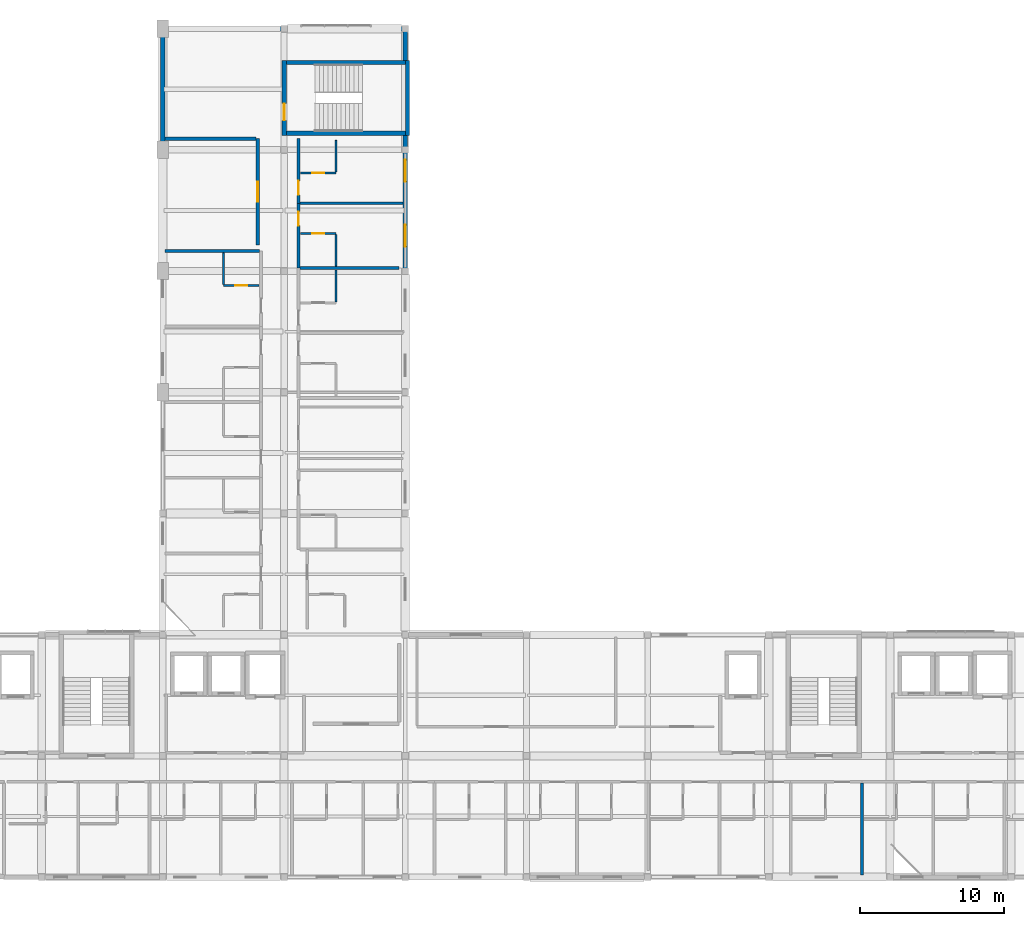
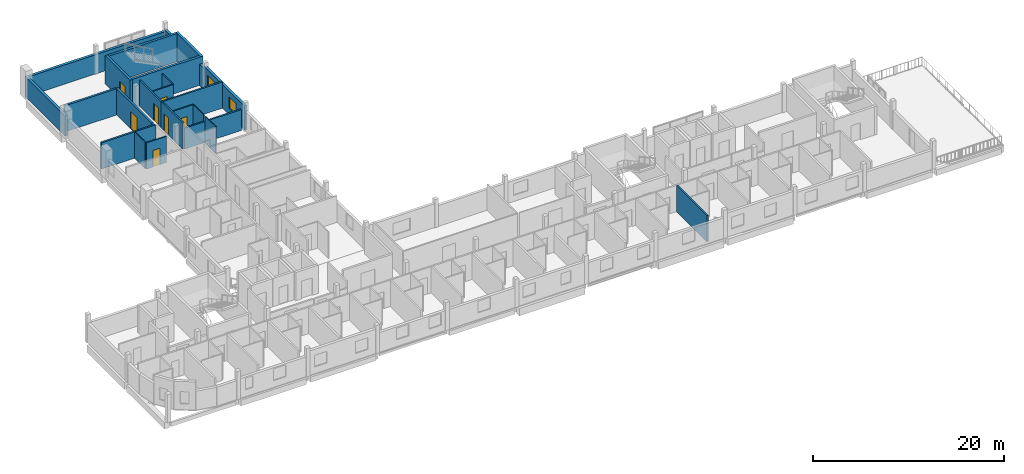
# One storey, part 14 of 19: 24 walls, 7 doors, 2 windows, 9 openings.
"""IFC4 building model written with IfcOpenShell, lengths in metres."""

from ifc_helpers import new_model, si_unit, derived_unit, direction, frame, frame_2d, origin, place, context, subcontext, project, spatial, rectangle, extrude, material, layer, layer_set, type_object, element, fill, save


model = new_model("IFC4")

# Units and contexts
model_context = context("Model", 3, precision=1e-05, world=origin(), true_north=direction((0.0, 1.0)))
body_context = subcontext(model_context, "Body", "Model", "MODEL_VIEW")
ifc_project = project(units=[si_unit("LENGTHUNIT", "METRE"), si_unit("AREAUNIT", "SQUARE_METRE"), si_unit("VOLUMEUNIT", "CUBIC_METRE"), si_unit("PLANEANGLEUNIT", "RADIAN"), si_unit("MASSUNIT", "GRAM", prefix="KILO"), derived_unit("THERMALTRANSMITTANCEUNIT", [(si_unit("POWERUNIT", "WATT"), 1), (si_unit("LENGTHUNIT", "METRE"), -2), (si_unit("THERMODYNAMICTEMPERATUREUNIT", "KELVIN"), -1)])], contexts=[model_context])

# Site, building, storey
site_placement = place(None, origin())
site = spatial("IfcSite", under=ifc_project, at=site_placement, CompositionType="ELEMENT")
building_placement = place(site_placement, origin())
building = spatial("IfcBuilding", under=site, at=building_placement, Name="Barrovel Congress Hotel", CompositionType="ELEMENT")
storey_placement = place(building_placement, frame((0.0, 0.0, 43.5)))
storey = spatial("IfcBuildingStorey", under=building, at=storey_placement, Name="L11", CompositionType="ELEMENT", Elevation=43.5)

# Walls
ifc_material_1 = material(Name="Fired Clay Brick Masonry", Category="masonry")
ifc_layer_1 = layer(ifc_material_1, 0.320068359375)
ifc_layer_set_1 = layer_set([ifc_layer_1], Name="Fired Clay Brick Masonry")
wall_type_1 = type_object("IfcWallType", Name="EW-BRK320", PredefinedType="STANDARD", material=ifc_layer_set_1)
wall_1_placement = place(storey_placement, frame((50.39990234375, 60.800048828125, 0.0), z_axis=(0.0, 0.0, 1.0), x_axis=(0.0, 1.0, 0.0)))
element("IfcWall", 1, at=wall_1_placement, inside=storey, type_object=wall_type_1, Name="EW:L11:HW-E-2", PredefinedType="STANDARD", context=body_context, shape_type="SweptSolid", body=[
    extrude(rectangle(XDim=2.199951171875, YDim=0.320068359375, at=frame_2d((1.10009765625, 0.0))), origin(), (0.0, 0.0, 1.0), 2.7099609375),
])
wall_2_placement = place(storey_placement, frame((50.39990234375, 63.0, 0.0), z_axis=(0.0, 0.0, 1.0), x_axis=(-1.0, 0.0, 0.0)))
element("IfcWall", 2, at=wall_2_placement, inside=storey, type_object=wall_type_1, Name="EW:L11:HW-N", PredefinedType="STANDARD", context=body_context, shape_type="SweptSolid", body=[
    extrude(rectangle(XDim=16.7998046875, YDim=0.320068359375, at=frame_2d((8.39990234375, 0.0))), origin(), (0.0, 0.0, 1.0), 2.4599609375),
])

# Wall, openings, windows
wall_3_placement = place(storey_placement, frame((50.39990234375, 46.199951171875, 0.0), z_axis=(0.0, 0.0, 1.0), x_axis=(0.0, 1.0, 0.0)))
wall_3 = element("IfcWall", 3, at=wall_3_placement, inside=storey, type_object=wall_type_1, Name="EW:L11:HW-E-1:P02", PredefinedType="STANDARD", context=body_context, shape_type="SweptSolid", body=[
    extrude(rectangle(XDim=8.400146484375, YDim=0.320068359375, at=frame_2d((4.2001953125, 0.0))), origin(), (0.0, 0.0, 1.0), 3.050048828125),
])
opening_1_placement = place(wall_3_placement, frame((1.699951171875, 0.0, 0.85009765625)))
opening_1 = element("IfcOpeningElement", 4, at=opening_1_placement, cuts=wall_3, Name="Opening WN-07", PredefinedType="OPENING", context=body_context, shape_type="SweptSolid", body=[
    extrude(rectangle(XDim=1.5, YDim=1.5, at=frame_2d((0.75, 0.75))), frame((0.0, 0.169921875, 0.0), z_axis=(0.0, -1.0, 0.0), x_axis=(1.0, 0.0, 0.0)), (0.0, 0.0, 1.0), 0.340087890625),
])
opening_2_placement = place(wall_3_placement, frame((6.199951171875, 0.0, 0.85009765625)))
opening_2 = element("IfcOpeningElement", 5, at=opening_2_placement, cuts=wall_3, Name="Opening WN-07", PredefinedType="OPENING", context=body_context, shape_type="SweptSolid", body=[
    extrude(rectangle(XDim=1.5, YDim=1.5, at=frame_2d((0.75, 0.75))), frame((0.0, 0.169921875, 0.0), z_axis=(0.0, -1.0, 0.0), x_axis=(1.0, 0.0, 0.0)), (0.0, 0.0, 1.0), 0.340087890625),
])
ifc_material_2 = material(Name="Double Low-E Insulated Glazing", Category="glass")
window_type = type_object("IfcWindowType", Name="WIN-WN-07", PartitioningType="SINGLE_PANEL", PredefinedType="WINDOW", material=ifc_material_2)
window_1_placement = place(opening_1_placement, origin())
window_1 = element("IfcWindow", 6, at=window_1_placement, inside=storey, type_object=window_type, Name="WIN:L11:U27", OverallHeight=1.5, OverallWidth=1.5, PartitioningType="SINGLE_PANEL", PredefinedType="WINDOW", context=body_context, shape_type="SweptSolid", body=[
    extrude(rectangle(XDim=1.5, YDim=1.5, at=frame_2d((0.75, 0.75))), frame((0.0, 0.030029296875, 0.0), z_axis=(0.0, -1.0, 0.0), x_axis=(1.0, 0.0, 0.0)), (0.0, 0.0, 1.0), 0.06005859375),
])
fill(opening_1, window_1)
window_2_placement = place(opening_2_placement, origin())
window_2 = element("IfcWindow", 7, at=window_2_placement, inside=storey, type_object=window_type, Name="WIN:L11:U28", OverallHeight=1.5, OverallWidth=1.5, PartitioningType="SINGLE_PANEL", PredefinedType="WINDOW", context=body_context, shape_type="SweptSolid", body=[
    extrude(rectangle(XDim=1.5, YDim=1.5, at=frame_2d((0.75, 0.75))), frame((0.0, 0.030029296875, 0.0), z_axis=(0.0, -1.0, 0.0), x_axis=(1.0, 0.0, 0.0)), (0.0, 0.0, 1.0), 0.06005859375),
])
fill(opening_2, window_2)

# Walls
wall_4_placement = place(storey_placement, frame((50.39990234375, 54.60009765625, 0.0), z_axis=(0.0, 0.0, 1.0), x_axis=(0.0, 1.0, 0.0)))
element("IfcWall", 8, at=wall_4_placement, inside=storey, type_object=wall_type_1, Name="EW:L11:HW-E-1:P03", PredefinedType="STANDARD", context=body_context, shape_type="SweptSolid", body=[
    extrude(rectangle(XDim=1.0, YDim=0.320068359375, at=frame_2d((0.5, 0.0))), origin(), (0.0, 0.0, 1.0), 2.7099609375),
])
wall_5_placement = place(storey_placement, frame((33.60009765625, 63.0, 0.0), z_axis=(0.0, 0.0, 1.0), x_axis=(0.0, -1.0, 0.0)))
element("IfcWall", 9, at=wall_5_placement, inside=storey, type_object=wall_type_1, Name="EW:L11:HW-W:P01", PredefinedType="STANDARD", context=body_context, shape_type="SweptSolid", body=[
    extrude(rectangle(XDim=8.39990234375, YDim=0.320068359375, at=frame_2d((4.199951171875, 0.0))), origin(), (0.0, 0.0, 1.0), 2.56005859375),
])

# Wall, opening, door
ifc_material_3 = material(Name="Gypsum Acoustic Stud", Category="gypsum")
ifc_layer_2 = layer(ifc_material_3, 0.179931640625)
ifc_layer_set_2 = layer_set([ifc_layer_2], Name="Gypsum Acoustic Stud")
wall_type_2 = type_object("IfcWallType", Name="PW-ACU-180", PredefinedType="PARTITIONING", material=ifc_layer_set_2)
wall_6_placement = place(storey_placement, frame((43.0, 46.39990234375, 0.0), z_axis=(0.0, 0.0, 1.0), x_axis=(0.0, 1.0, 0.0)))
wall_6 = element("IfcWall", 10, at=wall_6_placement, inside=storey, type_object=wall_type_2, Name="PW:L11:U27:COR", PredefinedType="PARTITIONING", context=body_context, shape_type="SweptSolid", body=[
    extrude(rectangle(XDim=4.5, YDim=0.179931640625, at=frame_2d((2.25, 0.0))), origin(), (0.0, 0.0, 1.0), 3.35498046875),
])
opening_3_placement = place(wall_6_placement, frame((2.955078125, 0.0, 0.0)))
opening_3 = element("IfcOpeningElement", 11, at=opening_3_placement, cuts=wall_6, Name="Opening ID-HTL", PredefinedType="OPENING", context=body_context, shape_type="SweptSolid", body=[
    extrude(rectangle(XDim=0.9599609375, YDim=2.14990234375, at=frame_2d((0.47998046875, 1.074951171875))), frame((0.0, 0.10009765625, 0.0), z_axis=(0.0, -1.0, 0.0), x_axis=(1.0, 0.0, 0.0)), (0.0, 0.0, 1.0), 0.199951171875),
])
ifc_material_4 = material(Name="Solid Oak Acoustic Timber Door", Category="wood")
door_type_1 = type_object("IfcDoorType", Name="IDR-ID-HTL", OperationType="NOTDEFINED", PredefinedType="DOOR", material=ifc_material_4)
door_1_placement = place(opening_3_placement, origin())
door_1 = element("IfcDoor", 12, at=door_1_placement, inside=storey, type_object=door_type_1, Name="DR:L11:U27:ENT", OperationType="SINGLE_SWING_RIGHT", OverallHeight=2.14990234375, OverallWidth=0.9599609375, PredefinedType="DOOR", context=body_context, shape_type="SweptSolid", body=[
    extrude(rectangle(XDim=0.9599609375, YDim=2.14990234375, at=frame_2d((0.47998046875, 1.074951171875))), frame((0.0, 0.02490234375, 0.0), z_axis=(0.0, -1.0, 0.0), x_axis=(1.0, 0.0, 0.0)), (0.0, 0.0, 1.0), 0.050048828125),
])
fill(opening_3, door_1)

wall_7_placement = place(storey_placement, frame((43.0, 50.89990234375, 0.0), z_axis=(0.0, 0.0, 1.0), x_axis=(0.0, 1.0, 0.0)))
wall_7 = element("IfcWall", 13, at=wall_7_placement, inside=storey, type_object=wall_type_2, Name="PW:L11:U28:COR", PredefinedType="PARTITIONING", context=body_context, shape_type="SweptSolid", body=[
    extrude(rectangle(XDim=4.5, YDim=0.179931640625, at=frame_2d((2.25, 0.0))), origin(), (0.0, 0.0, 1.0), 3.35498046875),
])
opening_4_placement = place(wall_7_placement, frame((0.5849609375, 0.0, 0.0)))
opening_4 = element("IfcOpeningElement", 14, at=opening_4_placement, cuts=wall_7, Name="Opening ID-HTL", PredefinedType="OPENING", context=body_context, shape_type="SweptSolid", body=[
    extrude(rectangle(XDim=0.9599609375, YDim=2.14990234375, at=frame_2d((0.47998046875, 1.074951171875))), frame((0.0, 0.10009765625, 0.0), z_axis=(0.0, -1.0, 0.0), x_axis=(1.0, 0.0, 0.0)), (0.0, 0.0, 1.0), 0.199951171875),
])
door_2_placement = place(opening_4_placement, origin())
door_2 = element("IfcDoor", 15, at=door_2_placement, inside=storey, type_object=door_type_1, Name="DR:L11:U28:ENT", OperationType="SINGLE_SWING_RIGHT", OverallHeight=2.14990234375, OverallWidth=0.9599609375, PredefinedType="DOOR", context=body_context, shape_type="SweptSolid", body=[
    extrude(rectangle(XDim=0.9599609375, YDim=2.14990234375, at=frame_2d((0.47998046875, 1.074951171875))), frame((0.0, 0.02490234375, 0.0), z_axis=(0.0, -1.0, 0.0), x_axis=(1.0, 0.0, 0.0)), (0.0, 0.0, 1.0), 0.050048828125),
])
fill(opening_4, door_2)

# Walls
ifc_layer_3 = layer(ifc_material_3, 0.1201171875)
ifc_layer_set_3 = layer_set([ifc_layer_3], Name="Gypsum Acoustic Stud")
wall_type_3 = type_object("IfcWallType", Name="PW-INT-120", PredefinedType="PARTITIONING", material=ifc_layer_set_3)
for number, where, z_axis, x_axis, name in (
    (16, (37.800048828125, 45.27001953125, 0.0), (0.0, 0.0, 1.0), (0.0, 1.0, 0.0), "PW:L11:U22:B2"),
    (17, (45.60009765625, 44.070068359375, 0.0), (0.0, 0.0, 1.0), (0.0, 1.0, 0.0), "PW:L11:U26:B2"),
    (18, (45.60009765625, 46.5400390625, 0.0), (0.0, 0.0, 1.0), (0.0, 1.0, 0.0), "PW:L11:U27:B2"),
    (19, (45.60009765625, 53.070068359375, 0.0), (0.0, 0.0, 1.0), (0.0, 1.0, 0.0), "PW:L11:U28:B2"),
):
    element("IfcWall", number, at=place(storey_placement, frame(where, z_axis=z_axis, x_axis=x_axis)), inside=storey, type_object=wall_type_3, Name=name, PredefinedType="PARTITIONING", context=body_context, shape_type="SweptSolid", body=[
        extrude(rectangle(XDim=2.18994140625, YDim=0.1201171875, at=frame_2d((1.094970703125, 0.0))), origin(), (0.0, 0.0, 1.0), 3.35498046875),
    ])
ifc_layer_4 = layer(ifc_material_1, 0.199951171875)
ifc_layer_set_4 = layer_set([ifc_layer_4], Name="Fired Clay Brick Masonry")
wall_type_4 = type_object("IfcWallType", Name="PW-MAS-200", PredefinedType="PARTITIONING", material=ifc_layer_set_4)
wall_8_placement = place(storey_placement, frame((82.050048828125, 4.360107421875, 0.0), z_axis=(0.0, 0.0, 1.0), x_axis=(0.0, 1.0, 0.0)))
element("IfcWall", 20, at=wall_8_placement, inside=storey, type_object=wall_type_4, Name="PW:L11:U13:DEM", PredefinedType="PARTITIONING", context=body_context, shape_type="SweptSolid", body=[
    extrude(rectangle(XDim=6.349853515625, YDim=0.199951171875, at=frame_2d((3.1748046875, 0.0))), origin(), (0.0, 0.0, 1.0), 3.35498046875),
])
wall_9_placement = place(storey_placement, frame((33.760009765625, 47.60009765625, 0.0), z_axis=(0.0, 0.0, 1.0), x_axis=(1.0, 0.0, 0.0)))
element("IfcWall", 21, at=wall_9_placement, inside=storey, type_object=wall_type_4, Name="PW:L11:U22:DEM", PredefinedType="PARTITIONING", context=body_context, shape_type="SweptSolid", body=[
    extrude(rectangle(XDim=6.550048828125, YDim=0.199951171875, at=frame_2d((3.27490234375, 0.0))), origin(), (0.0, 0.0, 1.0), 3.35498046875),
])
wall_10_placement = place(storey_placement, frame((43.090087890625, 46.39990234375, 0.0), z_axis=(0.0, 0.0, 1.0), x_axis=(1.0, 0.0, 0.0)))
element("IfcWall", 22, at=wall_10_placement, inside=storey, type_object=wall_type_4, Name="PW:L11:U26:DEM", PredefinedType="PARTITIONING", context=body_context, shape_type="SweptSolid", body=[
    extrude(rectangle(XDim=6.85986328125, YDim=0.199951171875, at=frame_2d((3.429931640625, 0.0))), origin(), (0.0, 0.0, 1.0), 2.659912109375),
])
wall_11_placement = place(storey_placement, frame((43.090087890625, 50.89990234375, 0.0), z_axis=(0.0, 0.0, 1.0), x_axis=(1.0, 0.0, 0.0)))
element("IfcWall", 23, at=wall_11_placement, inside=storey, type_object=wall_type_4, Name="PW:L11:U27:DEM", PredefinedType="PARTITIONING", context=body_context, shape_type="SweptSolid", body=[
    extrude(rectangle(XDim=7.14990234375, YDim=0.199951171875, at=frame_2d((3.574951171875, 0.0))), origin(), (0.0, 0.0, 1.0), 3.35498046875),
])

# Wall, opening, door
ifc_layer_5 = layer(ifc_material_1, 0.239990234375)
ifc_layer_set_5 = layer_set([ifc_layer_5], Name="Fired Clay Brick Masonry")
wall_type_5 = type_object("IfcWallType", Name="PW-MAS-240", PredefinedType="PARTITIONING", material=ifc_layer_set_5)
wall_12_placement = place(storey_placement, frame((40.179931640625, 48.02001953125, 0.0), z_axis=(0.0, 0.0, 1.0), x_axis=(0.0, 1.0, 0.0)))
wall_12 = element("IfcWall", 24, at=wall_12_placement, inside=storey, type_object=wall_type_5, Name="RW:SP:L11:AHU-W:E", PredefinedType="PARTITIONING", context=body_context, shape_type="SweptSolid", body=[
    extrude(rectangle(XDim=7.35986328125, YDim=0.239990234375, at=frame_2d((3.679931640625, 0.0))), origin(), (0.0, 0.0, 1.0), 3.35498046875),
])
opening_5_placement = place(wall_12_placement, frame((2.97998046875, 0.0, 0.0)))
opening_5 = element("IfcOpeningElement", 25, at=opening_5_placement, cuts=wall_12, Name="Opening ID-PLT", PredefinedType="OPENING", context=body_context, shape_type="SweptSolid", body=[
    extrude(rectangle(XDim=1.39990234375, YDim=2.199951171875, at=frame_2d((0.699951171875, 1.10009765625))), frame((0.0, 0.1298828125, 0.0), z_axis=(0.0, -1.0, 0.0), x_axis=(1.0, 0.0, 0.0)), (0.0, 0.0, 1.0), 0.260009765625),
])
ifc_material_5 = material(Name="Painted Hollow-Metal Steel Door", Category="steel")
door_type_2 = type_object("IfcDoorType", Name="IDR-ID-PLT", OperationType="NOTDEFINED", PredefinedType="DOOR", material=ifc_material_5)
door_3_placement = place(opening_5_placement, origin())
door_3 = element("IfcDoor", 26, at=door_3_placement, inside=storey, type_object=door_type_2, Name="RD:SP:L11:AHU-W", OperationType="DOUBLE_DOOR_SINGLE_SWING", OverallHeight=2.199951171875, OverallWidth=1.39990234375, PredefinedType="DOOR", context=body_context, shape_type="SweptSolid", body=[
    extrude(rectangle(XDim=1.39990234375, YDim=2.199951171875, at=frame_2d((0.699951171875, 1.10009765625))), frame((0.0, 0.02490234375, 0.0), z_axis=(0.0, -1.0, 0.0), x_axis=(1.0, 0.0, 0.0)), (0.0, 0.0, 1.0), 0.050048828125),
])
fill(opening_5, door_3)

# Wall
wall_13_placement = place(storey_placement, frame((33.760009765625, 55.3798828125, 0.0), z_axis=(0.0, 0.0, 1.0), x_axis=(1.0, 0.0, 0.0)))
element("IfcWall", 27, at=wall_13_placement, inside=storey, type_object=wall_type_5, Name="RW:SP:L11:AHU-W:N", PredefinedType="PARTITIONING", context=body_context, shape_type="SweptSolid", body=[
    extrude(rectangle(XDim=6.300048828125, YDim=0.239990234375, at=frame_2d((3.14990234375, 0.0))), origin(), (0.0, 0.0, 1.0), 3.35498046875),
])

# Wall, opening, door
ifc_material_6 = material(Name="Gypsum Moisture Board", Category="gypsum")
ifc_layer_6 = layer(ifc_material_6, 0.139892578125)
ifc_layer_set_6 = layer_set([ifc_layer_6], Name="Gypsum Moisture Board")
wall_type_6 = type_object("IfcWallType", Name="PW-WET-140", PredefinedType="PARTITIONING", material=ifc_layer_set_6)
wall_14_placement = place(storey_placement, frame((37.800048828125, 45.199951171875, 0.0), z_axis=(0.0, 0.0, 1.0), x_axis=(1.0, 0.0, 0.0)))
wall_14 = element("IfcWall", 28, at=wall_14_placement, inside=storey, type_object=wall_type_6, Name="PW:L11:U22:B1", PredefinedType="PARTITIONING", context=body_context, shape_type="SweptSolid", body=[
    extrude(rectangle(XDim=2.4599609375, YDim=0.139892578125, at=frame_2d((1.22998046875, 0.0))), origin(), (0.0, 0.0, 1.0), 3.35498046875),
])
opening_6_placement = place(wall_14_placement, frame((0.800048828125, 0.0, 0.0)))
opening_6 = element("IfcOpeningElement", 29, at=opening_6_placement, cuts=wall_14, Name="Opening ID-ENS", PredefinedType="OPENING", context=body_context, shape_type="SweptSolid", body=[
    extrude(rectangle(XDim=0.860107421875, YDim=2.10009765625, at=frame_2d((0.43017578125, 1.050048828125))), frame((0.0, 0.080078125, 0.0), z_axis=(0.0, -1.0, 0.0), x_axis=(1.0, 0.0, 0.0)), (0.0, 0.0, 1.0), 0.159912109375),
])
ifc_material_7 = material(Name="Lacquered Timber Moisture Door", Category="wood")
door_type_3 = type_object("IfcDoorType", Name="IDR-ID-ENS", OperationType="NOTDEFINED", PredefinedType="DOOR", material=ifc_material_7)
door_4_placement = place(opening_6_placement, origin())
door_4 = element("IfcDoor", 30, at=door_4_placement, inside=storey, type_object=door_type_3, Name="DR:L11:U22:ENS", OperationType="SINGLE_SWING_LEFT", OverallHeight=2.10009765625, OverallWidth=0.860107421875, PredefinedType="DOOR", context=body_context, shape_type="SweptSolid", body=[
    extrude(rectangle(XDim=0.860107421875, YDim=2.10009765625, at=frame_2d((0.43017578125, 1.050048828125))), frame((0.0, 0.02490234375, 0.0), z_axis=(0.0, -1.0, 0.0), x_axis=(1.0, 0.0, 0.0)), (0.0, 0.0, 1.0), 0.050048828125),
])
fill(opening_6, door_4)

wall_15_placement = place(storey_placement, frame((43.139892578125, 48.800048828125, 0.0), z_axis=(0.0, 0.0, 1.0), x_axis=(1.0, 0.0, 0.0)))
wall_15 = element("IfcWall", 31, at=wall_15_placement, inside=storey, type_object=wall_type_6, Name="PW:L11:U27:B1", PredefinedType="PARTITIONING", context=body_context, shape_type="SweptSolid", body=[
    extrude(rectangle(XDim=2.460205078125, YDim=0.139892578125, at=frame_2d((1.22998046875, 0.0))), origin(), (0.0, 0.0, 1.0), 3.35498046875),
])
opening_7_placement = place(wall_15_placement, frame((0.800048828125, 0.0, 0.0)))
opening_7 = element("IfcOpeningElement", 32, at=opening_7_placement, cuts=wall_15, Name="Opening ID-ENS", PredefinedType="OPENING", context=body_context, shape_type="SweptSolid", body=[
    extrude(rectangle(XDim=0.860107421875, YDim=2.10009765625, at=frame_2d((0.43017578125, 1.050048828125))), frame((0.0, 0.080078125, 0.0), z_axis=(0.0, -1.0, 0.0), x_axis=(1.0, 0.0, 0.0)), (0.0, 0.0, 1.0), 0.159912109375),
])
door_5_placement = place(opening_7_placement, origin())
door_5 = element("IfcDoor", 33, at=door_5_placement, inside=storey, type_object=door_type_3, Name="DR:L11:U27:ENS", OperationType="SINGLE_SWING_LEFT", OverallHeight=2.10009765625, OverallWidth=0.860107421875, PredefinedType="DOOR", context=body_context, shape_type="SweptSolid", body=[
    extrude(rectangle(XDim=0.860107421875, YDim=2.10009765625, at=frame_2d((0.43017578125, 1.050048828125))), frame((0.0, 0.02490234375, 0.0), z_axis=(0.0, -1.0, 0.0), x_axis=(1.0, 0.0, 0.0)), (0.0, 0.0, 1.0), 0.050048828125),
])
fill(opening_7, door_5)

wall_16_placement = place(storey_placement, frame((43.139892578125, 53.0, 0.0), z_axis=(0.0, 0.0, 1.0), x_axis=(1.0, 0.0, 0.0)))
wall_16 = element("IfcWall", 34, at=wall_16_placement, inside=storey, type_object=wall_type_6, Name="PW:L11:U28:B1", PredefinedType="PARTITIONING", context=body_context, shape_type="SweptSolid", body=[
    extrude(rectangle(XDim=2.460205078125, YDim=0.139892578125, at=frame_2d((1.22998046875, 0.0))), origin(), (0.0, 0.0, 1.0), 3.35498046875),
])
opening_8_placement = place(wall_16_placement, frame((0.800048828125, 0.0, 0.0)))
opening_8 = element("IfcOpeningElement", 35, at=opening_8_placement, cuts=wall_16, Name="Opening ID-ENS", PredefinedType="OPENING", context=body_context, shape_type="SweptSolid", body=[
    extrude(rectangle(XDim=0.860107421875, YDim=2.10009765625, at=frame_2d((0.43017578125, 1.050048828125))), frame((0.0, 0.080078125, 0.0), z_axis=(0.0, -1.0, 0.0), x_axis=(1.0, 0.0, 0.0)), (0.0, 0.0, 1.0), 0.159912109375),
])
door_6_placement = place(opening_8_placement, origin())
door_6 = element("IfcDoor", 36, at=door_6_placement, inside=storey, type_object=door_type_3, Name="DR:L11:U28:ENS", OperationType="SINGLE_SWING_LEFT", OverallHeight=2.10009765625, OverallWidth=0.860107421875, PredefinedType="DOOR", context=body_context, shape_type="SweptSolid", body=[
    extrude(rectangle(XDim=0.860107421875, YDim=2.10009765625, at=frame_2d((0.43017578125, 1.050048828125))), frame((0.0, 0.02490234375, 0.0), z_axis=(0.0, -1.0, 0.0), x_axis=(1.0, 0.0, 0.0)), (0.0, 0.0, 1.0), 0.050048828125),
])
fill(opening_8, door_6)

# Walls
ifc_material_8 = material(Name="Concrete C40", Category="concrete")
ifc_layer_7 = layer(ifc_material_8, 0.300048828125)
ifc_layer_set_7 = layer_set([ifc_layer_7], Name="Concrete C40")
wall_type_7 = type_object("IfcWallType", Name="SW-C40-300", PredefinedType="SHEAR", material=ifc_layer_set_7)
wall_17_placement = place(storey_placement, frame((41.860107421875, 55.75, 0.0), z_axis=(0.0, 0.0, 1.0), x_axis=(1.0, 0.0, 0.0)))
element("IfcWall", 37, at=wall_17_placement, inside=storey, type_object=wall_type_7, Name="SHW:XS-05:L11:S", PredefinedType="SHEAR", context=body_context, shape_type="SweptSolid", body=[
    extrude(rectangle(XDim=8.83984375, YDim=0.300048828125, at=frame_2d((4.419921875, 0.0))), origin(), (0.0, 0.0, 1.0), 3.60009765625),
])
wall_18_placement = place(storey_placement, frame((50.550048828125, 55.60009765625, 0.0), z_axis=(0.0, 0.0, 1.0), x_axis=(0.0, 1.0, 0.0)))
element("IfcWall", 38, at=wall_18_placement, inside=storey, type_object=wall_type_7, Name="SHW:XS-05:L11:E", PredefinedType="SHEAR", context=body_context, shape_type="SweptSolid", body=[
    extrude(rectangle(XDim=5.199951171875, YDim=0.300048828125, at=frame_2d((2.60009765625, 0.0))), origin(), (0.0, 0.0, 1.0), 3.60009765625),
])
wall_19_placement = place(storey_placement, frame((50.699951171875, 60.64990234375, 0.0), z_axis=(0.0, 0.0, 1.0), x_axis=(-1.0, 0.0, 0.0)))
element("IfcWall", 39, at=wall_19_placement, inside=storey, type_object=wall_type_7, Name="SHW:XS-05:L11:N", PredefinedType="SHEAR", context=body_context, shape_type="SweptSolid", body=[
    extrude(rectangle(XDim=8.83984375, YDim=0.300048828125, at=frame_2d((4.419921875, 0.0))), origin(), (0.0, 0.0, 1.0), 3.60009765625),
])

# Wall, opening, door
wall_20_placement = place(storey_placement, frame((42.010009765625, 60.800048828125, 0.0), z_axis=(0.0, 0.0, 1.0), x_axis=(0.0, -1.0, 0.0)))
wall_20 = element("IfcWall", 40, at=wall_20_placement, inside=storey, type_object=wall_type_7, Name="SHW:XS-05:L11:W", PredefinedType="SHEAR", context=body_context, shape_type="SweptSolid", body=[
    extrude(rectangle(XDim=5.199951171875, YDim=0.300048828125, at=frame_2d((2.60009765625, 0.0))), origin(), (0.0, 0.0, 1.0), 3.60009765625),
])
opening_9_placement = place(wall_20_placement, frame((3.0, 0.0, 0.0)))
opening_9 = element("IfcOpeningElement", 41, at=opening_9_placement, cuts=wall_20, Name="Opening ID-ST1", PredefinedType="OPENING", context=body_context, shape_type="SweptSolid", body=[
    extrude(rectangle(XDim=1.14990234375, YDim=2.14990234375, at=frame_2d((0.574951171875, 1.074951171875))), frame((0.0, 0.16015625, 0.0), z_axis=(0.0, -1.0, 0.0), x_axis=(1.0, 0.0, 0.0)), (0.0, 0.0, 1.0), 0.320068359375),
])
door_type_4 = type_object("IfcDoorType", Name="IDR-ID-ST1", OperationType="NOTDEFINED", PredefinedType="DOOR", material=ifc_material_5)
door_7_placement = place(opening_9_placement, origin())
door_7 = element("IfcDoor", 42, at=door_7_placement, inside=storey, type_object=door_type_4, Name="Stair Core Fire Door XS-05-L11", OperationType="SINGLE_SWING_RIGHT", OverallHeight=2.14990234375, OverallWidth=1.14990234375, PredefinedType="DOOR", context=body_context, shape_type="SweptSolid", body=[
    extrude(rectangle(XDim=1.14990234375, YDim=2.14990234375, at=frame_2d((0.574951171875, 1.074951171875))), frame((0.0, 0.02490234375, 0.0), z_axis=(0.0, -1.0, 0.0), x_axis=(1.0, 0.0, 0.0)), (0.0, 0.0, 1.0), 0.050048828125),
])
fill(opening_9, door_7)

save(model, "model.ifc")
